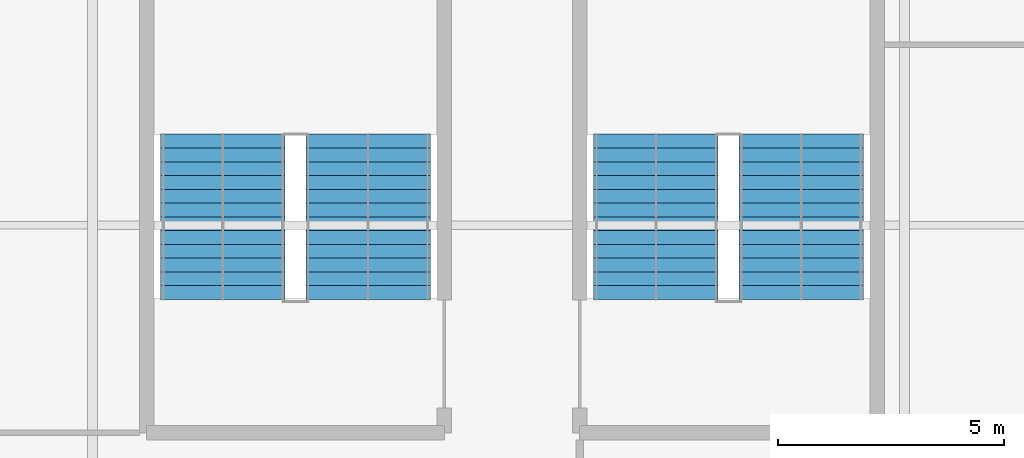
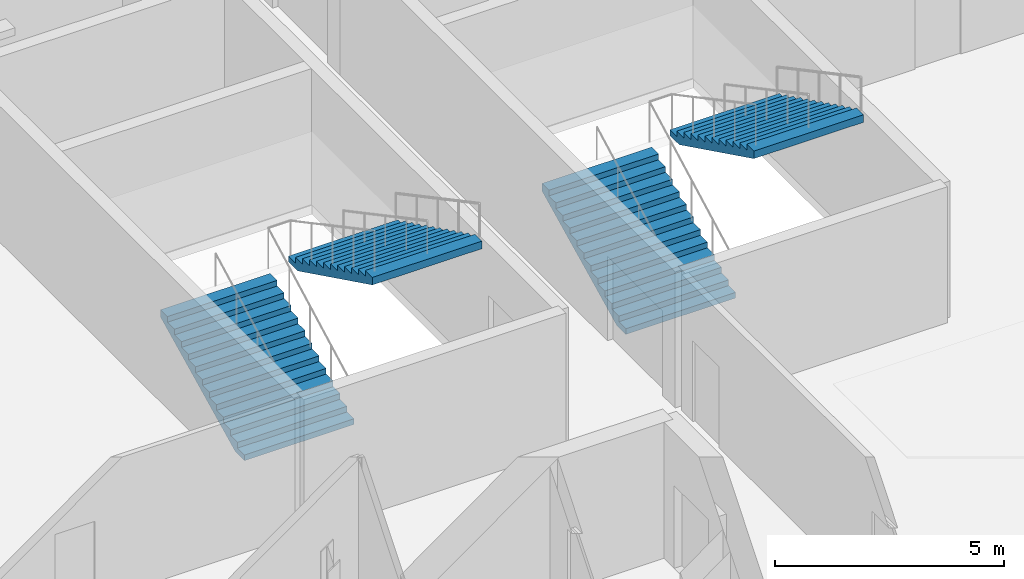
# One storey, part 22 of 31: 4 stair flights, 2 elements without a shape of their own.
"""IFC4 building model written with IfcOpenShell, lengths in metres."""

import ifcopenshell
import ifcopenshell.guid

model = None  # the IFC model being written
_history = None  # IfcOwnerHistory: only IFC2X3 demands one
_inside = {}  # id of a spatial element -> (the spatial element, [elements in it])
_under = {}  # id of a project, library or spatial element -> (it, [spatial elements below it])
_declared = {}  # id of a project -> (the project, [libraries it declares])
_typed = {}  # id of a type object -> (the type object, [elements of that type])
_made_of = {}  # id of a material, layer set ... -> (it, [elements and type objects made of it])


def new_model(schema):
    """Start an empty IFC model of exactly this schema.

    Asked for "IFC4X3", IfcOpenShell would pick the latest addendum, in which some entities
    have other attributes; the version numbers below select the first issue.
    IFC2X3 requires an IfcOwnerHistory on every rooted entity: one is made here for all.
    """
    global model, _history
    if schema == "IFC4X3":
        model = ifcopenshell.file(schema_version=(4, 3, 0, 0))
    else:
        model = ifcopenshell.file(schema=schema)
    _inside.clear()
    _under.clear()
    _declared.clear()
    _typed.clear()
    _made_of.clear()
    _history = None
    if model.schema == "IFC2X3":
        org = make("IfcOrganization", Name="unknown")
        user = make(
            "IfcPersonAndOrganization",
            ThePerson=make("IfcPerson", FamilyName="unknown"),
            TheOrganization=org,
        )
        app = make(
            "IfcApplication",
            ApplicationDeveloper=org,
            Version="unknown",
            ApplicationFullName="unknown",
            ApplicationIdentifier="unknown",
        )
        _history = make(
            "IfcOwnerHistory",
            OwningUser=user,
            OwningApplication=app,
            ChangeAction="ADDED",
            CreationDate=0,
        )
    return model


def make(cls, **values):
    """One entity of the class cls with the attributes given. An attribute that is None is left unset."""
    return model.create_entity(
        cls, **{name: value for name, value in values.items() if value is not None}
    )


def rooted(cls, **values):
    """An entity with a GlobalId (a new one), such as an element, a storey or a relation."""
    return make(cls, GlobalId=ifcopenshell.guid.new(), OwnerHistory=_history, **values)


def si_unit(unit_type, name, prefix=None):
    """IfcSIUnit, for example si_unit("LENGTHUNIT", "METRE", prefix="MILLI")."""
    return make("IfcSIUnit", UnitType=unit_type, Prefix=prefix, Name=name)


def assignment(units):
    """IfcUnitAssignment: the units of a project."""
    return None if units is None else make("IfcUnitAssignment", Units=units)


def point(xyz):
    """IfcCartesianPoint."""
    return None if xyz is None else make("IfcCartesianPoint", Coordinates=xyz)


def direction(xyz):
    """IfcDirection."""
    return None if xyz is None else make("IfcDirection", DirectionRatios=xyz)


def frame(location, z_axis=None, x_axis=None):
    """IfcAxis2Placement3D, a coordinate frame: its origin and axes. An axis left out is left unset."""
    return make(
        "IfcAxis2Placement3D",
        Location=point(location),
        Axis=direction(z_axis),
        RefDirection=direction(x_axis),
    )


def origin():
    """The frame at (0, 0, 0) with its axes left unset."""
    return frame((0.0, 0.0, 0.0))


def place(relative_to, where):
    """IfcLocalPlacement: puts the frame where relative to a parent placement (None: the world)."""
    return make(
        "IfcLocalPlacement", PlacementRelTo=relative_to, RelativePlacement=where
    )


def context(
    kind, dimensions, precision=None, world=None, true_north=None, identifier=None
):
    """IfcGeometricRepresentationContext, for example the 3D "Model" context."""
    return make(
        "IfcGeometricRepresentationContext",
        ContextIdentifier=identifier,
        ContextType=kind,
        CoordinateSpaceDimension=dimensions,
        Precision=precision,
        WorldCoordinateSystem=world,
        TrueNorth=true_north,
    )


def subcontext(parent, identifier, kind, view, scale=None):
    """IfcGeometricRepresentationSubContext, for example "Body" below "Model"."""
    return make(
        "IfcGeometricRepresentationSubContext",
        ContextIdentifier=identifier,
        ContextType=kind,
        ParentContext=parent,
        TargetScale=scale,
        TargetView=view,
    )


def project(units=None, contexts=None):
    """IfcProject with its units and contexts."""
    return rooted(
        "IfcProject",
        Name="project",
        RepresentationContexts=contexts,
        UnitsInContext=assignment(units),
    )


def spatial(cls, under=None, at=None, **own):
    """A site, building, storey or space (cls), placed at a placement, below another one or the project."""
    s = rooted(cls, ObjectPlacement=at, **own)
    if under is not None:
        _under.setdefault(under.id(), (under, []))[1].append(s)
    return s


def point_list(points):
    """IfcCartesianPointList2D or 3D."""
    cls = (
        "IfcCartesianPointList2D" if len(points[0]) == 2 else "IfcCartesianPointList3D"
    )
    return make(cls, CoordList=points)


def polygons(points, faces, closed=None, point_numbers=None):
    """IfcPolygonalFaceSet: a face is its outer loop, then its inner loops; points numbered from 1."""
    made = []
    for loops in faces:
        if len(loops) == 1:
            made.append(make("IfcIndexedPolygonalFace", CoordIndex=loops[0]))
        else:
            made.append(
                make(
                    "IfcIndexedPolygonalFaceWithVoids",
                    CoordIndex=loops[0],
                    InnerCoordIndices=loops[1:],
                )
            )
    return make(
        "IfcPolygonalFaceSet",
        Coordinates=point_list(points),
        Closed=closed,
        Faces=made,
        PnIndex=point_numbers,
    )


def shape(context_of_items, identifier, shape_type, items):
    """IfcShapeRepresentation: the items that make up one representation, for example the "Body"."""
    return make(
        "IfcShapeRepresentation",
        ContextOfItems=context_of_items,
        RepresentationIdentifier=identifier,
        RepresentationType=shape_type,
        Items=items,
    )


def material(Name=None, Category=None):
    """IfcMaterial."""
    return make("IfcMaterial", Name=Name, Category=Category)


def made_of(thing, what):
    """Note that an element or type object is made of a material, layer set ...; save() writes the relation."""
    if what is not None:
        _made_of.setdefault(what.id(), (what, []))[1].append(thing)
    return thing


def type_object(cls, material=None, **own):
    """A type object (cls), such as IfcWallType, which elements share."""
    return made_of(rooted(cls, **own), material)


def element(
    cls,
    number,
    at=None,
    inside=None,
    cuts=None,
    type_object=None,
    material=None,
    context=None,
    identifier="Body",
    shape_type=None,
    held_by="IfcProductDefinitionShape",
    body=None,
    shapes=None,
    **own,
):
    """One element of the class cls, such as IfcWall. Its Tag is "e" and its number.

    at: its placement. inside: the storey or other place that contains it. cuts: it is an
    opening in that element (IfcRelVoidsElement). A single representation is given by context,
    identifier, shape_type and body (its items); several are given by shapes. held_by: the class
    of the entity that holds the representations. save() writes the other relations.
    """
    e = rooted(cls, Tag="e%d" % number, ObjectPlacement=at, **own)
    if body is not None:
        shapes = [shape(context, identifier, shape_type, body)]
    if shapes is not None:
        e.Representation = make(held_by, Representations=shapes)
    if inside is not None:
        _inside.setdefault(inside.id(), (inside, []))[1].append(e)
    if cuts is not None:
        rooted(
            "IfcRelVoidsElement", RelatingBuildingElement=cuts, RelatedOpeningElement=e
        )
    if type_object is not None:
        _typed.setdefault(type_object.id(), (type_object, []))[1].append(e)
    return made_of(e, material)


def aggregate(whole, parts):
    """IfcRelAggregates: a whole, such as a stair, and the parts it consists of."""
    return rooted("IfcRelAggregates", RelatingObject=whole, RelatedObjects=parts)


def save(model, path):
    """Write the relations noted so far, then the file.

    IfcRelAggregates (storeys below a building ...), IfcRelContainedInSpatialStructure (elements
    in a storey), IfcRelDefinesByType, IfcRelAssociatesMaterial and IfcRelDeclares: one each for
    every whole, place, type object, material and project.
    """
    for whole, parts in _under.values():
        aggregate(whole, parts)
    for where, things in _inside.values():
        rooted(
            "IfcRelContainedInSpatialStructure",
            RelatedElements=things,
            RelatingStructure=where,
        )
    for kind, things in _typed.values():
        rooted("IfcRelDefinesByType", RelatedObjects=things, RelatingType=kind)
    for what, things in _made_of.values():
        rooted("IfcRelAssociatesMaterial", RelatedObjects=things, RelatingMaterial=what)
    for by, libraries in _declared.values():
        rooted("IfcRelDeclares", RelatingContext=by, RelatedDefinitions=libraries)
    model.write(path)


model = new_model("IFC4")

# Units and contexts
model_context = context("Model", 3, precision=1e-05, world=origin(), true_north=direction((0.0, 1.0)))
body_context = subcontext(model_context, "Body", "Model", "MODEL_VIEW")
ifc_project = project(units=[si_unit("LENGTHUNIT", "METRE"), si_unit("AREAUNIT", "SQUARE_METRE"), si_unit("VOLUMEUNIT", "CUBIC_METRE"), si_unit("PLANEANGLEUNIT", "RADIAN"), si_unit("MASSUNIT", "GRAM", prefix="KILO")], contexts=[model_context])

# Site, building, storey
site_placement = place(None, origin())
site = spatial("IfcSite", under=ifc_project, at=site_placement, CompositionType="ELEMENT")
building_placement = place(site_placement, origin())
building = spatial("IfcBuilding", under=site, at=building_placement, Name="Kisiwana Market Hall", CompositionType="ELEMENT")
storey_placement = place(building_placement, frame((0.0, 0.0, 45.60009765625)))
storey = spatial("IfcBuildingStorey", under=building, at=storey_placement, Name="L10", CompositionType="ELEMENT", Elevation=45.60009765625)

# Stair, stair flights
ifc_material_1 = material(Name="Concrete C32/40", Category="concrete")
stair_type = type_object("IfcStairType", Name="ST-ESC-3900", PredefinedType="TWO_STRAIGHT_RUN_STAIR", material=ifc_material_1)
stair_1_placement = place(storey_placement, origin())
stair_1 = element("IfcStair", 1, at=stair_1_placement, inside=storey, type_object=stair_type, Name="Escape stair ST-W3-L10", PredefinedType="TWO_STRAIGHT_RUN_STAIR")
ifc_material_2 = material(Name="Concrete C32/40", Category="concrete")
stair_flight_type = type_object("IfcStairFlightType", Name="SF-ESC-3900", PredefinedType="STRAIGHT", material=ifc_material_2)
stair_flight_1_placement = place(storey_placement, frame((11.889892578125, 42.360107421875, 0.0), z_axis=(0.0, 0.0, 1.0), x_axis=(0.0, 1.0, 0.0)))
stair_flight_1 = element("IfcStairFlight", 2, at=stair_flight_1_placement, type_object=stair_flight_type, Name="ST-W3-L10 flight 1", NumberOfRisers=13, NumberOfTreads=12, PredefinedType="STRAIGHT", RiserHeight=0.15, TreadLength=0.305, context=body_context, shape_type="Tessellation", body=[
    polygons([(0.0, -1.380127, 0.0), (0.0, -0.690125, 0.0), (0.0, -0.000122, 0.0), (0.0, 0.68988, 0.0), (0.0, 1.379883, 0.0), (0.0, -1.380127, 0.149902), (0.0, -0.690125, 0.149902), (0.0, -0.000122, 0.149902), (0.0, 0.68988, 0.149902), (0.0, 1.379883, 0.149902), (0.304932, -1.380127, 0.149902), (0.304932, -0.690125, 0.149902), (0.304932, -0.000122, 0.149902), (0.304932, 0.68988, 0.149902), (0.304932, 1.379883, 0.149902), (0.304932, -1.380127, 0.300049), (0.304932, -0.690125, 0.300049), (0.304932, -0.000122, 0.300049), (0.304932, 0.68988, 0.300049), (0.304932, 1.379883, 0.300049), (0.610107, -1.380127, 0.300049), (0.610107, -0.690125, 0.300049), (0.610107, -0.000122, 0.300049), (0.610107, 0.68988, 0.300049), (0.610107, 1.379883, 0.300049), (0.610107, -1.380127, 0.449951), (0.610107, -0.690125, 0.449951), (0.610107, -0.000122, 0.449951), (0.610107, 0.68988, 0.449951), (0.610107, 1.379883, 0.449951), (0.915039, -1.380127, 0.449951), (0.915039, -0.690125, 0.449951), (0.915039, -0.000122, 0.449951), (0.915039, 0.68988, 0.449951), (0.915039, 1.379883, 0.449951), (0.915039, -1.380127, 0.600098), (0.915039, -0.690125, 0.600098), (0.915039, -0.000122, 0.600098), (0.915039, 0.68988, 0.600098), (0.915039, 1.379883, 0.600098), (1.219971, -1.380127, 0.600098), (1.219971, -0.690125, 0.600098), (1.219971, -0.000122, 0.600098), (1.219971, 0.68988, 0.600098), (1.219971, 1.379883, 0.600098), (1.219971, -1.380127, 0.75), (1.219971, -0.690125, 0.75), (1.219971, -0.000122, 0.75), (1.219971, 0.68988, 0.75), (1.219971, 1.379883, 0.75), (1.524902, -1.380127, 0.75), (1.524902, -0.690125, 0.75), (1.524902, -0.000122, 0.75), (1.524902, 0.68988, 0.75), (1.524902, 1.379883, 0.75), (1.524902, -1.380127, 0.899902), (1.524902, -0.690125, 0.899902), (1.524902, -0.000122, 0.899902), (1.524902, 0.68988, 0.899902), (1.524902, 1.379883, 0.899902), (1.830078, -1.380127, 0.899902), (1.830078, -0.690125, 0.899902), (1.830078, -0.000122, 0.899902), (1.830078, 0.68988, 0.899902), (1.830078, 1.379883, 0.899902), (1.830078, -1.380127, 1.050049), (1.830078, -0.690125, 1.050049), (1.830078, -0.000122, 1.050049), (1.830078, 0.68988, 1.050049), (1.830078, 1.379883, 1.050049), (2.13501, -1.380127, 1.050049), (2.13501, -0.690125, 1.050049), (2.13501, -0.000122, 1.050049), (2.13501, 0.68988, 1.050049), (2.13501, 1.379883, 1.050049), (2.13501, -1.380127, 1.199951), (2.13501, -0.690125, 1.199951), (2.13501, -0.000122, 1.199951), (2.13501, 0.68988, 1.199951), (2.13501, 1.379883, 1.199951), (2.439941, -1.380127, 1.199951), (2.439941, -0.690125, 1.199951), (2.439941, -0.000122, 1.199951), (2.439941, 0.68988, 1.199951), (2.439941, 1.379883, 1.199951), (2.439941, -1.380127, 1.350098), (2.439941, -0.690125, 1.350098), (2.439941, -0.000122, 1.350098), (2.439941, 0.68988, 1.350098), (2.439941, 1.379883, 1.350098), (2.745117, -1.380127, 1.350098), (2.745117, -0.690125, 1.350098), (2.745117, -0.000122, 1.350098), (2.745117, 0.68988, 1.350098), (2.745117, 1.379883, 1.350098), (2.745117, -1.380127, 1.5), (2.745117, -0.690125, 1.5), (2.745117, -0.000122, 1.5), (2.745117, 0.68988, 1.5), (2.745117, 1.379883, 1.5), (3.050049, -1.380127, 1.5), (3.050049, -0.690125, 1.5), (3.050049, -0.000122, 1.5), (3.050049, 0.68988, 1.5), (3.050049, 1.379883, 1.5), (3.050049, -1.380127, 1.649902), (3.050049, -0.690125, 1.649902), (3.050049, -0.000122, 1.649902), (3.050049, 0.68988, 1.649902), (3.050049, 1.379883, 1.649902), (3.35498, -1.380127, 1.649902), (3.35498, -0.690125, 1.649902), (3.35498, -0.000122, 1.649902), (3.35498, 0.68988, 1.649902), (3.35498, 1.379883, 1.649902), (3.35498, -1.380127, 1.800049), (3.35498, -0.690125, 1.800049), (3.35498, -0.000122, 1.800049), (3.35498, 0.68988, 1.800049), (3.35498, 1.379883, 1.800049), (3.659912, -1.380127, 1.800049), (3.659912, -0.690125, 1.800049), (3.659912, -0.000122, 1.800049), (3.659912, 0.68988, 1.800049), (3.659912, 1.379883, 1.800049), (3.659912, -1.380127, 1.599365), (3.659912, -0.690125, 1.599365), (3.659912, -0.000122, 1.599365), (3.659912, 0.68988, 1.599365), (3.659912, 1.379883, 1.599365), (0.407715, -1.380127, 0.0), (0.407715, -0.690125, 0.0), (0.407715, -0.000122, 0.0), (0.407715, 0.68988, 0.0), (0.407715, 1.379883, 0.0)], [[[1, 6, 7, 2]], [[2, 7, 8, 3]], [[3, 8, 9, 4]], [[4, 9, 10, 5]], [[6, 11, 12, 7]], [[7, 12, 13, 8]], [[8, 13, 14, 9]], [[9, 14, 15, 10]], [[11, 16, 17, 12]], [[12, 17, 18, 13]], [[13, 18, 19, 14]], [[14, 19, 20, 15]], [[16, 21, 22, 17]], [[17, 22, 23, 18]], [[18, 23, 24, 19]], [[19, 24, 25, 20]], [[21, 26, 27, 22]], [[22, 27, 28, 23]], [[23, 28, 29, 24]], [[24, 29, 30, 25]], [[26, 31, 32, 27]], [[27, 32, 33, 28]], [[28, 33, 34, 29]], [[29, 34, 35, 30]], [[31, 36, 37, 32]], [[32, 37, 38, 33]], [[33, 38, 39, 34]], [[34, 39, 40, 35]], [[36, 41, 42, 37]], [[37, 42, 43, 38]], [[38, 43, 44, 39]], [[39, 44, 45, 40]], [[41, 46, 47, 42]], [[42, 47, 48, 43]], [[43, 48, 49, 44]], [[44, 49, 50, 45]], [[46, 51, 52, 47]], [[47, 52, 53, 48]], [[48, 53, 54, 49]], [[49, 54, 55, 50]], [[51, 56, 57, 52]], [[52, 57, 58, 53]], [[53, 58, 59, 54]], [[54, 59, 60, 55]], [[56, 61, 62, 57]], [[57, 62, 63, 58]], [[58, 63, 64, 59]], [[59, 64, 65, 60]], [[61, 66, 67, 62]], [[62, 67, 68, 63]], [[63, 68, 69, 64]], [[64, 69, 70, 65]], [[66, 71, 72, 67]], [[67, 72, 73, 68]], [[68, 73, 74, 69]], [[69, 74, 75, 70]], [[71, 76, 77, 72]], [[72, 77, 78, 73]], [[73, 78, 79, 74]], [[74, 79, 80, 75]], [[76, 81, 82, 77]], [[77, 82, 83, 78]], [[78, 83, 84, 79]], [[79, 84, 85, 80]], [[81, 86, 87, 82]], [[82, 87, 88, 83]], [[83, 88, 89, 84]], [[84, 89, 90, 85]], [[86, 91, 92, 87]], [[87, 92, 93, 88]], [[88, 93, 94, 89]], [[89, 94, 95, 90]], [[91, 96, 97, 92]], [[92, 97, 98, 93]], [[93, 98, 99, 94]], [[94, 99, 100, 95]], [[96, 101, 102, 97]], [[97, 102, 103, 98]], [[98, 103, 104, 99]], [[99, 104, 105, 100]], [[101, 106, 107, 102]], [[102, 107, 108, 103]], [[103, 108, 109, 104]], [[104, 109, 110, 105]], [[106, 111, 112, 107]], [[107, 112, 113, 108]], [[108, 113, 114, 109]], [[109, 114, 115, 110]], [[111, 116, 117, 112]], [[112, 117, 118, 113]], [[113, 118, 119, 114]], [[114, 119, 120, 115]], [[116, 121, 122, 117]], [[117, 122, 123, 118]], [[118, 123, 124, 119]], [[119, 124, 125, 120]], [[121, 126, 127, 122]], [[122, 127, 128, 123]], [[123, 128, 129, 124]], [[124, 129, 130, 125]], [[126, 131, 132, 127]], [[127, 132, 133, 128]], [[128, 133, 134, 129]], [[129, 134, 135, 130]], [[131, 1, 2, 132]], [[132, 2, 3, 133]], [[133, 3, 4, 134]], [[134, 4, 5, 135]], [[131, 126, 121, 116, 111, 106, 101, 96, 91, 86, 81, 76, 71, 66, 61, 56, 51, 46, 41, 36, 31, 26, 21, 16, 11, 6, 1]], [[5, 10, 15, 20, 25, 30, 35, 40, 45, 50, 55, 60, 65, 70, 75, 80, 85, 90, 95, 100, 105, 110, 115, 120, 125, 130, 135]]], closed=True),
])
stair_flight_2_placement = place(storey_placement, frame((15.110107421875, 46.02001953125, 1.949951171875), z_axis=(0.0, 0.0, 1.0), x_axis=(0.0, -1.0, 0.0)))
stair_flight_2 = element("IfcStairFlight", 3, at=stair_flight_2_placement, type_object=stair_flight_type, Name="ST-W3-L10 flight 2", NumberOfRisers=13, NumberOfTreads=12, PredefinedType="STRAIGHT", RiserHeight=0.15, TreadLength=0.305, context=body_context, shape_type="Tessellation", body=[
    polygons([(0.0, -1.380127, 0.0), (0.0, -0.690125, 0.0), (0.0, -0.000122, 0.0), (0.0, 0.68988, 0.0), (0.0, 1.379883, 0.0), (0.0, -1.380127, 0.149902), (0.0, -0.690125, 0.149902), (0.0, -0.000122, 0.149902), (0.0, 0.68988, 0.149902), (0.0, 1.379883, 0.149902), (0.304932, -1.380127, 0.149902), (0.304932, -0.690125, 0.149902), (0.304932, -0.000122, 0.149902), (0.304932, 0.68988, 0.149902), (0.304932, 1.379883, 0.149902), (0.304932, -1.380127, 0.300049), (0.304932, -0.690125, 0.300049), (0.304932, -0.000122, 0.300049), (0.304932, 0.68988, 0.300049), (0.304932, 1.379883, 0.300049), (0.610107, -1.380127, 0.300049), (0.610107, -0.690125, 0.300049), (0.610107, -0.000122, 0.300049), (0.610107, 0.68988, 0.300049), (0.610107, 1.379883, 0.300049), (0.610107, -1.380127, 0.449951), (0.610107, -0.690125, 0.449951), (0.610107, -0.000122, 0.449951), (0.610107, 0.68988, 0.449951), (0.610107, 1.379883, 0.449951), (0.915039, -1.380127, 0.449951), (0.915039, -0.690125, 0.449951), (0.915039, -0.000122, 0.449951), (0.915039, 0.68988, 0.449951), (0.915039, 1.379883, 0.449951), (0.915039, -1.380127, 0.600098), (0.915039, -0.690125, 0.600098), (0.915039, -0.000122, 0.600098), (0.915039, 0.68988, 0.600098), (0.915039, 1.379883, 0.600098), (1.219971, -1.380127, 0.600098), (1.219971, -0.690125, 0.600098), (1.219971, -0.000122, 0.600098), (1.219971, 0.68988, 0.600098), (1.219971, 1.379883, 0.600098), (1.219971, -1.380127, 0.75), (1.219971, -0.690125, 0.75), (1.219971, -0.000122, 0.75), (1.219971, 0.68988, 0.75), (1.219971, 1.379883, 0.75), (1.524902, -1.380127, 0.75), (1.524902, -0.690125, 0.75), (1.524902, -0.000122, 0.75), (1.524902, 0.68988, 0.75), (1.524902, 1.379883, 0.75), (1.524902, -1.380127, 0.899902), (1.524902, -0.690125, 0.899902), (1.524902, -0.000122, 0.899902), (1.524902, 0.68988, 0.899902), (1.524902, 1.379883, 0.899902), (1.830078, -1.380127, 0.899902), (1.830078, -0.690125, 0.899902), (1.830078, -0.000122, 0.899902), (1.830078, 0.68988, 0.899902), (1.830078, 1.379883, 0.899902), (1.830078, -1.380127, 1.050049), (1.830078, -0.690125, 1.050049), (1.830078, -0.000122, 1.050049), (1.830078, 0.68988, 1.050049), (1.830078, 1.379883, 1.050049), (2.13501, -1.380127, 1.050049), (2.13501, -0.690125, 1.050049), (2.13501, -0.000122, 1.050049), (2.13501, 0.68988, 1.050049), (2.13501, 1.379883, 1.050049), (2.13501, -1.380127, 1.199951), (2.13501, -0.690125, 1.199951), (2.13501, -0.000122, 1.199951), (2.13501, 0.68988, 1.199951), (2.13501, 1.379883, 1.199951), (2.439941, -1.380127, 1.199951), (2.439941, -0.690125, 1.199951), (2.439941, -0.000122, 1.199951), (2.439941, 0.68988, 1.199951), (2.439941, 1.379883, 1.199951), (2.439941, -1.380127, 1.350098), (2.439941, -0.690125, 1.350098), (2.439941, -0.000122, 1.350098), (2.439941, 0.68988, 1.350098), (2.439941, 1.379883, 1.350098), (2.745117, -1.380127, 1.350098), (2.745117, -0.690125, 1.350098), (2.745117, -0.000122, 1.350098), (2.745117, 0.68988, 1.350098), (2.745117, 1.379883, 1.350098), (2.745117, -1.380127, 1.5), (2.745117, -0.690125, 1.5), (2.745117, -0.000122, 1.5), (2.745117, 0.68988, 1.5), (2.745117, 1.379883, 1.5), (3.050049, -1.380127, 1.5), (3.050049, -0.690125, 1.5), (3.050049, -0.000122, 1.5), (3.050049, 0.68988, 1.5), (3.050049, 1.379883, 1.5), (3.050049, -1.380127, 1.649902), (3.050049, -0.690125, 1.649902), (3.050049, -0.000122, 1.649902), (3.050049, 0.68988, 1.649902), (3.050049, 1.379883, 1.649902), (3.35498, -1.380127, 1.649902), (3.35498, -0.690125, 1.649902), (3.35498, -0.000122, 1.649902), (3.35498, 0.68988, 1.649902), (3.35498, 1.379883, 1.649902), (3.35498, -1.380127, 1.800049), (3.35498, -0.690125, 1.800049), (3.35498, -0.000122, 1.800049), (3.35498, 0.68988, 1.800049), (3.35498, 1.379883, 1.800049), (3.659912, -1.380127, 1.800049), (3.659912, -0.690125, 1.800049), (3.659912, -0.000122, 1.800049), (3.659912, 0.68988, 1.800049), (3.659912, 1.379883, 1.800049), (3.659912, -1.380127, 1.599365), (3.659912, -0.690125, 1.599365), (3.659912, -0.000122, 1.599365), (3.659912, 0.68988, 1.599365), (3.659912, 1.379883, 1.599365), (0.407715, -1.380127, 0.0), (0.407715, -0.690125, 0.0), (0.407715, -0.000122, 0.0), (0.407715, 0.68988, 0.0), (0.407715, 1.379883, 0.0)], [[[1, 6, 7, 2]], [[2, 7, 8, 3]], [[3, 8, 9, 4]], [[4, 9, 10, 5]], [[6, 11, 12, 7]], [[7, 12, 13, 8]], [[8, 13, 14, 9]], [[9, 14, 15, 10]], [[11, 16, 17, 12]], [[12, 17, 18, 13]], [[13, 18, 19, 14]], [[14, 19, 20, 15]], [[16, 21, 22, 17]], [[17, 22, 23, 18]], [[18, 23, 24, 19]], [[19, 24, 25, 20]], [[21, 26, 27, 22]], [[22, 27, 28, 23]], [[23, 28, 29, 24]], [[24, 29, 30, 25]], [[26, 31, 32, 27]], [[27, 32, 33, 28]], [[28, 33, 34, 29]], [[29, 34, 35, 30]], [[31, 36, 37, 32]], [[32, 37, 38, 33]], [[33, 38, 39, 34]], [[34, 39, 40, 35]], [[36, 41, 42, 37]], [[37, 42, 43, 38]], [[38, 43, 44, 39]], [[39, 44, 45, 40]], [[41, 46, 47, 42]], [[42, 47, 48, 43]], [[43, 48, 49, 44]], [[44, 49, 50, 45]], [[46, 51, 52, 47]], [[47, 52, 53, 48]], [[48, 53, 54, 49]], [[49, 54, 55, 50]], [[51, 56, 57, 52]], [[52, 57, 58, 53]], [[53, 58, 59, 54]], [[54, 59, 60, 55]], [[56, 61, 62, 57]], [[57, 62, 63, 58]], [[58, 63, 64, 59]], [[59, 64, 65, 60]], [[61, 66, 67, 62]], [[62, 67, 68, 63]], [[63, 68, 69, 64]], [[64, 69, 70, 65]], [[66, 71, 72, 67]], [[67, 72, 73, 68]], [[68, 73, 74, 69]], [[69, 74, 75, 70]], [[71, 76, 77, 72]], [[72, 77, 78, 73]], [[73, 78, 79, 74]], [[74, 79, 80, 75]], [[76, 81, 82, 77]], [[77, 82, 83, 78]], [[78, 83, 84, 79]], [[79, 84, 85, 80]], [[81, 86, 87, 82]], [[82, 87, 88, 83]], [[83, 88, 89, 84]], [[84, 89, 90, 85]], [[86, 91, 92, 87]], [[87, 92, 93, 88]], [[88, 93, 94, 89]], [[89, 94, 95, 90]], [[91, 96, 97, 92]], [[92, 97, 98, 93]], [[93, 98, 99, 94]], [[94, 99, 100, 95]], [[96, 101, 102, 97]], [[97, 102, 103, 98]], [[98, 103, 104, 99]], [[99, 104, 105, 100]], [[101, 106, 107, 102]], [[102, 107, 108, 103]], [[103, 108, 109, 104]], [[104, 109, 110, 105]], [[106, 111, 112, 107]], [[107, 112, 113, 108]], [[108, 113, 114, 109]], [[109, 114, 115, 110]], [[111, 116, 117, 112]], [[112, 117, 118, 113]], [[113, 118, 119, 114]], [[114, 119, 120, 115]], [[116, 121, 122, 117]], [[117, 122, 123, 118]], [[118, 123, 124, 119]], [[119, 124, 125, 120]], [[121, 126, 127, 122]], [[122, 127, 128, 123]], [[123, 128, 129, 124]], [[124, 129, 130, 125]], [[126, 131, 132, 127]], [[127, 132, 133, 128]], [[128, 133, 134, 129]], [[129, 134, 135, 130]], [[131, 1, 2, 132]], [[132, 2, 3, 133]], [[133, 3, 4, 134]], [[134, 4, 5, 135]], [[131, 126, 121, 116, 111, 106, 101, 96, 91, 86, 81, 76, 71, 66, 61, 56, 51, 46, 41, 36, 31, 26, 21, 16, 11, 6, 1]], [[5, 10, 15, 20, 25, 30, 35, 40, 45, 50, 55, 60, 65, 70, 75, 80, 85, 90, 95, 100, 105, 110, 115, 120, 125, 130, 135]]], closed=True),
])
aggregate(stair_1, [stair_flight_1, stair_flight_2])

stair_2_placement = place(storey_placement, origin())
stair_2 = element("IfcStair", 4, at=stair_2_placement, inside=storey, type_object=stair_type, Name="Escape stair ST-W7-L10", PredefinedType="TWO_STRAIGHT_RUN_STAIR")
stair_flight_3_placement = place(storey_placement, frame((21.489990234375, 42.360107421875, 0.0), z_axis=(0.0, 0.0, 1.0), x_axis=(0.0, 1.0, 0.0)))
stair_flight_3 = element("IfcStairFlight", 5, at=stair_flight_3_placement, type_object=stair_flight_type, Name="ST-W7-L10 flight 1", NumberOfRisers=13, NumberOfTreads=12, PredefinedType="STRAIGHT", RiserHeight=0.15, TreadLength=0.305, context=body_context, shape_type="Tessellation", body=[
    polygons([(0.0, -1.380127, 0.0), (0.0, -0.690125, 0.0), (0.0, -0.000122, 0.0), (0.0, 0.68988, 0.0), (0.0, 1.379883, 0.0), (0.0, -1.380127, 0.149902), (0.0, -0.690125, 0.149902), (0.0, -0.000122, 0.149902), (0.0, 0.68988, 0.149902), (0.0, 1.379883, 0.149902), (0.304932, -1.380127, 0.149902), (0.304932, -0.690125, 0.149902), (0.304932, -0.000122, 0.149902), (0.304932, 0.68988, 0.149902), (0.304932, 1.379883, 0.149902), (0.304932, -1.380127, 0.300049), (0.304932, -0.690125, 0.300049), (0.304932, -0.000122, 0.300049), (0.304932, 0.68988, 0.300049), (0.304932, 1.379883, 0.300049), (0.610107, -1.380127, 0.300049), (0.610107, -0.690125, 0.300049), (0.610107, -0.000122, 0.300049), (0.610107, 0.68988, 0.300049), (0.610107, 1.379883, 0.300049), (0.610107, -1.380127, 0.449951), (0.610107, -0.690125, 0.449951), (0.610107, -0.000122, 0.449951), (0.610107, 0.68988, 0.449951), (0.610107, 1.379883, 0.449951), (0.915039, -1.380127, 0.449951), (0.915039, -0.690125, 0.449951), (0.915039, -0.000122, 0.449951), (0.915039, 0.68988, 0.449951), (0.915039, 1.379883, 0.449951), (0.915039, -1.380127, 0.600098), (0.915039, -0.690125, 0.600098), (0.915039, -0.000122, 0.600098), (0.915039, 0.68988, 0.600098), (0.915039, 1.379883, 0.600098), (1.219971, -1.380127, 0.600098), (1.219971, -0.690125, 0.600098), (1.219971, -0.000122, 0.600098), (1.219971, 0.68988, 0.600098), (1.219971, 1.379883, 0.600098), (1.219971, -1.380127, 0.75), (1.219971, -0.690125, 0.75), (1.219971, -0.000122, 0.75), (1.219971, 0.68988, 0.75), (1.219971, 1.379883, 0.75), (1.524902, -1.380127, 0.75), (1.524902, -0.690125, 0.75), (1.524902, -0.000122, 0.75), (1.524902, 0.68988, 0.75), (1.524902, 1.379883, 0.75), (1.524902, -1.380127, 0.899902), (1.524902, -0.690125, 0.899902), (1.524902, -0.000122, 0.899902), (1.524902, 0.68988, 0.899902), (1.524902, 1.379883, 0.899902), (1.830078, -1.380127, 0.899902), (1.830078, -0.690125, 0.899902), (1.830078, -0.000122, 0.899902), (1.830078, 0.68988, 0.899902), (1.830078, 1.379883, 0.899902), (1.830078, -1.380127, 1.050049), (1.830078, -0.690125, 1.050049), (1.830078, -0.000122, 1.050049), (1.830078, 0.68988, 1.050049), (1.830078, 1.379883, 1.050049), (2.13501, -1.380127, 1.050049), (2.13501, -0.690125, 1.050049), (2.13501, -0.000122, 1.050049), (2.13501, 0.68988, 1.050049), (2.13501, 1.379883, 1.050049), (2.13501, -1.380127, 1.199951), (2.13501, -0.690125, 1.199951), (2.13501, -0.000122, 1.199951), (2.13501, 0.68988, 1.199951), (2.13501, 1.379883, 1.199951), (2.439941, -1.380127, 1.199951), (2.439941, -0.690125, 1.199951), (2.439941, -0.000122, 1.199951), (2.439941, 0.68988, 1.199951), (2.439941, 1.379883, 1.199951), (2.439941, -1.380127, 1.350098), (2.439941, -0.690125, 1.350098), (2.439941, -0.000122, 1.350098), (2.439941, 0.68988, 1.350098), (2.439941, 1.379883, 1.350098), (2.745117, -1.380127, 1.350098), (2.745117, -0.690125, 1.350098), (2.745117, -0.000122, 1.350098), (2.745117, 0.68988, 1.350098), (2.745117, 1.379883, 1.350098), (2.745117, -1.380127, 1.5), (2.745117, -0.690125, 1.5), (2.745117, -0.000122, 1.5), (2.745117, 0.68988, 1.5), (2.745117, 1.379883, 1.5), (3.050049, -1.380127, 1.5), (3.050049, -0.690125, 1.5), (3.050049, -0.000122, 1.5), (3.050049, 0.68988, 1.5), (3.050049, 1.379883, 1.5), (3.050049, -1.380127, 1.649902), (3.050049, -0.690125, 1.649902), (3.050049, -0.000122, 1.649902), (3.050049, 0.68988, 1.649902), (3.050049, 1.379883, 1.649902), (3.35498, -1.380127, 1.649902), (3.35498, -0.690125, 1.649902), (3.35498, -0.000122, 1.649902), (3.35498, 0.68988, 1.649902), (3.35498, 1.379883, 1.649902), (3.35498, -1.380127, 1.800049), (3.35498, -0.690125, 1.800049), (3.35498, -0.000122, 1.800049), (3.35498, 0.68988, 1.800049), (3.35498, 1.379883, 1.800049), (3.659912, -1.380127, 1.800049), (3.659912, -0.690125, 1.800049), (3.659912, -0.000122, 1.800049), (3.659912, 0.68988, 1.800049), (3.659912, 1.379883, 1.800049), (3.659912, -1.380127, 1.599365), (3.659912, -0.690125, 1.599365), (3.659912, -0.000122, 1.599365), (3.659912, 0.68988, 1.599365), (3.659912, 1.379883, 1.599365), (0.407715, -1.380127, 0.0), (0.407715, -0.690125, 0.0), (0.407715, -0.000122, 0.0), (0.407715, 0.68988, 0.0), (0.407715, 1.379883, 0.0)], [[[1, 6, 7, 2]], [[2, 7, 8, 3]], [[3, 8, 9, 4]], [[4, 9, 10, 5]], [[6, 11, 12, 7]], [[7, 12, 13, 8]], [[8, 13, 14, 9]], [[9, 14, 15, 10]], [[11, 16, 17, 12]], [[12, 17, 18, 13]], [[13, 18, 19, 14]], [[14, 19, 20, 15]], [[16, 21, 22, 17]], [[17, 22, 23, 18]], [[18, 23, 24, 19]], [[19, 24, 25, 20]], [[21, 26, 27, 22]], [[22, 27, 28, 23]], [[23, 28, 29, 24]], [[24, 29, 30, 25]], [[26, 31, 32, 27]], [[27, 32, 33, 28]], [[28, 33, 34, 29]], [[29, 34, 35, 30]], [[31, 36, 37, 32]], [[32, 37, 38, 33]], [[33, 38, 39, 34]], [[34, 39, 40, 35]], [[36, 41, 42, 37]], [[37, 42, 43, 38]], [[38, 43, 44, 39]], [[39, 44, 45, 40]], [[41, 46, 47, 42]], [[42, 47, 48, 43]], [[43, 48, 49, 44]], [[44, 49, 50, 45]], [[46, 51, 52, 47]], [[47, 52, 53, 48]], [[48, 53, 54, 49]], [[49, 54, 55, 50]], [[51, 56, 57, 52]], [[52, 57, 58, 53]], [[53, 58, 59, 54]], [[54, 59, 60, 55]], [[56, 61, 62, 57]], [[57, 62, 63, 58]], [[58, 63, 64, 59]], [[59, 64, 65, 60]], [[61, 66, 67, 62]], [[62, 67, 68, 63]], [[63, 68, 69, 64]], [[64, 69, 70, 65]], [[66, 71, 72, 67]], [[67, 72, 73, 68]], [[68, 73, 74, 69]], [[69, 74, 75, 70]], [[71, 76, 77, 72]], [[72, 77, 78, 73]], [[73, 78, 79, 74]], [[74, 79, 80, 75]], [[76, 81, 82, 77]], [[77, 82, 83, 78]], [[78, 83, 84, 79]], [[79, 84, 85, 80]], [[81, 86, 87, 82]], [[82, 87, 88, 83]], [[83, 88, 89, 84]], [[84, 89, 90, 85]], [[86, 91, 92, 87]], [[87, 92, 93, 88]], [[88, 93, 94, 89]], [[89, 94, 95, 90]], [[91, 96, 97, 92]], [[92, 97, 98, 93]], [[93, 98, 99, 94]], [[94, 99, 100, 95]], [[96, 101, 102, 97]], [[97, 102, 103, 98]], [[98, 103, 104, 99]], [[99, 104, 105, 100]], [[101, 106, 107, 102]], [[102, 107, 108, 103]], [[103, 108, 109, 104]], [[104, 109, 110, 105]], [[106, 111, 112, 107]], [[107, 112, 113, 108]], [[108, 113, 114, 109]], [[109, 114, 115, 110]], [[111, 116, 117, 112]], [[112, 117, 118, 113]], [[113, 118, 119, 114]], [[114, 119, 120, 115]], [[116, 121, 122, 117]], [[117, 122, 123, 118]], [[118, 123, 124, 119]], [[119, 124, 125, 120]], [[121, 126, 127, 122]], [[122, 127, 128, 123]], [[123, 128, 129, 124]], [[124, 129, 130, 125]], [[126, 131, 132, 127]], [[127, 132, 133, 128]], [[128, 133, 134, 129]], [[129, 134, 135, 130]], [[131, 1, 2, 132]], [[132, 2, 3, 133]], [[133, 3, 4, 134]], [[134, 4, 5, 135]], [[131, 126, 121, 116, 111, 106, 101, 96, 91, 86, 81, 76, 71, 66, 61, 56, 51, 46, 41, 36, 31, 26, 21, 16, 11, 6, 1]], [[5, 10, 15, 20, 25, 30, 35, 40, 45, 50, 55, 60, 65, 70, 75, 80, 85, 90, 95, 100, 105, 110, 115, 120, 125, 130, 135]]], closed=True),
])
stair_flight_4_placement = place(storey_placement, frame((24.7099609375, 46.02001953125, 1.949951171875), z_axis=(0.0, 0.0, 1.0), x_axis=(0.0, -1.0, 0.0)))
stair_flight_4 = element("IfcStairFlight", 6, at=stair_flight_4_placement, type_object=stair_flight_type, Name="ST-W7-L10 flight 2", NumberOfRisers=13, NumberOfTreads=12, PredefinedType="STRAIGHT", RiserHeight=0.15, TreadLength=0.305, context=body_context, shape_type="Tessellation", body=[
    polygons([(0.0, -1.380127, 0.0), (0.0, -0.690125, 0.0), (0.0, -0.000122, 0.0), (0.0, 0.68988, 0.0), (0.0, 1.379883, 0.0), (0.0, -1.380127, 0.149902), (0.0, -0.690125, 0.149902), (0.0, -0.000122, 0.149902), (0.0, 0.68988, 0.149902), (0.0, 1.379883, 0.149902), (0.304932, -1.380127, 0.149902), (0.304932, -0.690125, 0.149902), (0.304932, -0.000122, 0.149902), (0.304932, 0.68988, 0.149902), (0.304932, 1.379883, 0.149902), (0.304932, -1.380127, 0.300049), (0.304932, -0.690125, 0.300049), (0.304932, -0.000122, 0.300049), (0.304932, 0.68988, 0.300049), (0.304932, 1.379883, 0.300049), (0.610107, -1.380127, 0.300049), (0.610107, -0.690125, 0.300049), (0.610107, -0.000122, 0.300049), (0.610107, 0.68988, 0.300049), (0.610107, 1.379883, 0.300049), (0.610107, -1.380127, 0.449951), (0.610107, -0.690125, 0.449951), (0.610107, -0.000122, 0.449951), (0.610107, 0.68988, 0.449951), (0.610107, 1.379883, 0.449951), (0.915039, -1.380127, 0.449951), (0.915039, -0.690125, 0.449951), (0.915039, -0.000122, 0.449951), (0.915039, 0.68988, 0.449951), (0.915039, 1.379883, 0.449951), (0.915039, -1.380127, 0.600098), (0.915039, -0.690125, 0.600098), (0.915039, -0.000122, 0.600098), (0.915039, 0.68988, 0.600098), (0.915039, 1.379883, 0.600098), (1.219971, -1.380127, 0.600098), (1.219971, -0.690125, 0.600098), (1.219971, -0.000122, 0.600098), (1.219971, 0.68988, 0.600098), (1.219971, 1.379883, 0.600098), (1.219971, -1.380127, 0.75), (1.219971, -0.690125, 0.75), (1.219971, -0.000122, 0.75), (1.219971, 0.68988, 0.75), (1.219971, 1.379883, 0.75), (1.524902, -1.380127, 0.75), (1.524902, -0.690125, 0.75), (1.524902, -0.000122, 0.75), (1.524902, 0.68988, 0.75), (1.524902, 1.379883, 0.75), (1.524902, -1.380127, 0.899902), (1.524902, -0.690125, 0.899902), (1.524902, -0.000122, 0.899902), (1.524902, 0.68988, 0.899902), (1.524902, 1.379883, 0.899902), (1.830078, -1.380127, 0.899902), (1.830078, -0.690125, 0.899902), (1.830078, -0.000122, 0.899902), (1.830078, 0.68988, 0.899902), (1.830078, 1.379883, 0.899902), (1.830078, -1.380127, 1.050049), (1.830078, -0.690125, 1.050049), (1.830078, -0.000122, 1.050049), (1.830078, 0.68988, 1.050049), (1.830078, 1.379883, 1.050049), (2.13501, -1.380127, 1.050049), (2.13501, -0.690125, 1.050049), (2.13501, -0.000122, 1.050049), (2.13501, 0.68988, 1.050049), (2.13501, 1.379883, 1.050049), (2.13501, -1.380127, 1.199951), (2.13501, -0.690125, 1.199951), (2.13501, -0.000122, 1.199951), (2.13501, 0.68988, 1.199951), (2.13501, 1.379883, 1.199951), (2.439941, -1.380127, 1.199951), (2.439941, -0.690125, 1.199951), (2.439941, -0.000122, 1.199951), (2.439941, 0.68988, 1.199951), (2.439941, 1.379883, 1.199951), (2.439941, -1.380127, 1.350098), (2.439941, -0.690125, 1.350098), (2.439941, -0.000122, 1.350098), (2.439941, 0.68988, 1.350098), (2.439941, 1.379883, 1.350098), (2.745117, -1.380127, 1.350098), (2.745117, -0.690125, 1.350098), (2.745117, -0.000122, 1.350098), (2.745117, 0.68988, 1.350098), (2.745117, 1.379883, 1.350098), (2.745117, -1.380127, 1.5), (2.745117, -0.690125, 1.5), (2.745117, -0.000122, 1.5), (2.745117, 0.68988, 1.5), (2.745117, 1.379883, 1.5), (3.050049, -1.380127, 1.5), (3.050049, -0.690125, 1.5), (3.050049, -0.000122, 1.5), (3.050049, 0.68988, 1.5), (3.050049, 1.379883, 1.5), (3.050049, -1.380127, 1.649902), (3.050049, -0.690125, 1.649902), (3.050049, -0.000122, 1.649902), (3.050049, 0.68988, 1.649902), (3.050049, 1.379883, 1.649902), (3.35498, -1.380127, 1.649902), (3.35498, -0.690125, 1.649902), (3.35498, -0.000122, 1.649902), (3.35498, 0.68988, 1.649902), (3.35498, 1.379883, 1.649902), (3.35498, -1.380127, 1.800049), (3.35498, -0.690125, 1.800049), (3.35498, -0.000122, 1.800049), (3.35498, 0.68988, 1.800049), (3.35498, 1.379883, 1.800049), (3.659912, -1.380127, 1.800049), (3.659912, -0.690125, 1.800049), (3.659912, -0.000122, 1.800049), (3.659912, 0.68988, 1.800049), (3.659912, 1.379883, 1.800049), (3.659912, -1.380127, 1.599365), (3.659912, -0.690125, 1.599365), (3.659912, -0.000122, 1.599365), (3.659912, 0.68988, 1.599365), (3.659912, 1.379883, 1.599365), (0.407715, -1.380127, 0.0), (0.407715, -0.690125, 0.0), (0.407715, -0.000122, 0.0), (0.407715, 0.68988, 0.0), (0.407715, 1.379883, 0.0)], [[[1, 6, 7, 2]], [[2, 7, 8, 3]], [[3, 8, 9, 4]], [[4, 9, 10, 5]], [[6, 11, 12, 7]], [[7, 12, 13, 8]], [[8, 13, 14, 9]], [[9, 14, 15, 10]], [[11, 16, 17, 12]], [[12, 17, 18, 13]], [[13, 18, 19, 14]], [[14, 19, 20, 15]], [[16, 21, 22, 17]], [[17, 22, 23, 18]], [[18, 23, 24, 19]], [[19, 24, 25, 20]], [[21, 26, 27, 22]], [[22, 27, 28, 23]], [[23, 28, 29, 24]], [[24, 29, 30, 25]], [[26, 31, 32, 27]], [[27, 32, 33, 28]], [[28, 33, 34, 29]], [[29, 34, 35, 30]], [[31, 36, 37, 32]], [[32, 37, 38, 33]], [[33, 38, 39, 34]], [[34, 39, 40, 35]], [[36, 41, 42, 37]], [[37, 42, 43, 38]], [[38, 43, 44, 39]], [[39, 44, 45, 40]], [[41, 46, 47, 42]], [[42, 47, 48, 43]], [[43, 48, 49, 44]], [[44, 49, 50, 45]], [[46, 51, 52, 47]], [[47, 52, 53, 48]], [[48, 53, 54, 49]], [[49, 54, 55, 50]], [[51, 56, 57, 52]], [[52, 57, 58, 53]], [[53, 58, 59, 54]], [[54, 59, 60, 55]], [[56, 61, 62, 57]], [[57, 62, 63, 58]], [[58, 63, 64, 59]], [[59, 64, 65, 60]], [[61, 66, 67, 62]], [[62, 67, 68, 63]], [[63, 68, 69, 64]], [[64, 69, 70, 65]], [[66, 71, 72, 67]], [[67, 72, 73, 68]], [[68, 73, 74, 69]], [[69, 74, 75, 70]], [[71, 76, 77, 72]], [[72, 77, 78, 73]], [[73, 78, 79, 74]], [[74, 79, 80, 75]], [[76, 81, 82, 77]], [[77, 82, 83, 78]], [[78, 83, 84, 79]], [[79, 84, 85, 80]], [[81, 86, 87, 82]], [[82, 87, 88, 83]], [[83, 88, 89, 84]], [[84, 89, 90, 85]], [[86, 91, 92, 87]], [[87, 92, 93, 88]], [[88, 93, 94, 89]], [[89, 94, 95, 90]], [[91, 96, 97, 92]], [[92, 97, 98, 93]], [[93, 98, 99, 94]], [[94, 99, 100, 95]], [[96, 101, 102, 97]], [[97, 102, 103, 98]], [[98, 103, 104, 99]], [[99, 104, 105, 100]], [[101, 106, 107, 102]], [[102, 107, 108, 103]], [[103, 108, 109, 104]], [[104, 109, 110, 105]], [[106, 111, 112, 107]], [[107, 112, 113, 108]], [[108, 113, 114, 109]], [[109, 114, 115, 110]], [[111, 116, 117, 112]], [[112, 117, 118, 113]], [[113, 118, 119, 114]], [[114, 119, 120, 115]], [[116, 121, 122, 117]], [[117, 122, 123, 118]], [[118, 123, 124, 119]], [[119, 124, 125, 120]], [[121, 126, 127, 122]], [[122, 127, 128, 123]], [[123, 128, 129, 124]], [[124, 129, 130, 125]], [[126, 131, 132, 127]], [[127, 132, 133, 128]], [[128, 133, 134, 129]], [[129, 134, 135, 130]], [[131, 1, 2, 132]], [[132, 2, 3, 133]], [[133, 3, 4, 134]], [[134, 4, 5, 135]], [[131, 126, 121, 116, 111, 106, 101, 96, 91, 86, 81, 76, 71, 66, 61, 56, 51, 46, 41, 36, 31, 26, 21, 16, 11, 6, 1]], [[5, 10, 15, 20, 25, 30, 35, 40, 45, 50, 55, 60, 65, 70, 75, 80, 85, 90, 95, 100, 105, 110, 115, 120, 125, 130, 135]]], closed=True),
])
aggregate(stair_2, [stair_flight_3, stair_flight_4])

save(model, "model.ifc")
